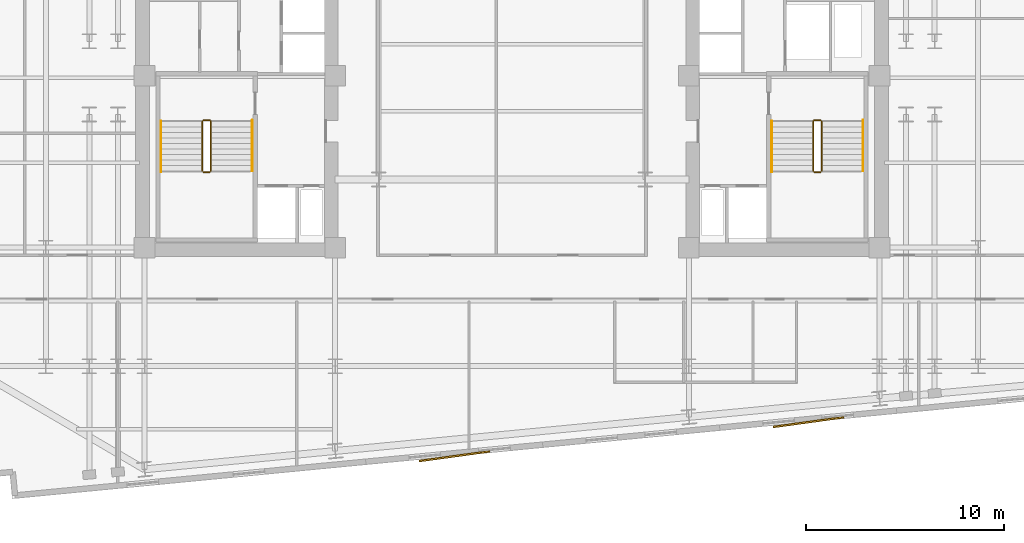
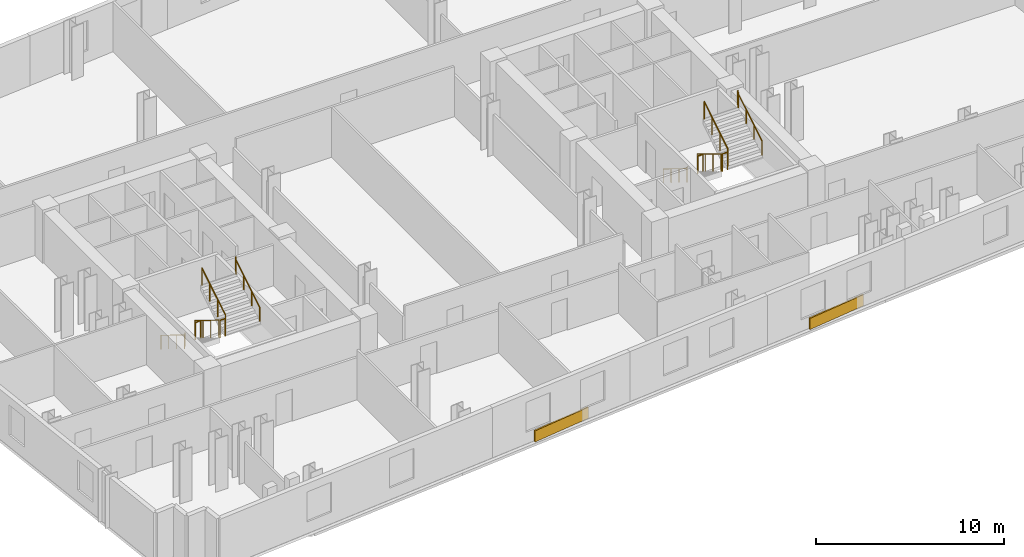
# One storey, part 9 of 10: 12 railings, 2 coverings.
"""IFC4 building model written with IfcOpenShell, lengths in metres."""

import ifcopenshell
import ifcopenshell.guid

model = None  # the IFC model being written
_history = None  # IfcOwnerHistory: only IFC2X3 demands one
_inside = {}  # id of a spatial element -> (the spatial element, [elements in it])
_under = {}  # id of a project, library or spatial element -> (it, [spatial elements below it])
_declared = {}  # id of a project -> (the project, [libraries it declares])
_typed = {}  # id of a type object -> (the type object, [elements of that type])
_made_of = {}  # id of a material, layer set ... -> (it, [elements and type objects made of it])


def new_model(schema):
    """Start an empty IFC model of exactly this schema.

    Asked for "IFC4X3", IfcOpenShell would pick the latest addendum, in which some entities
    have other attributes; the version numbers below select the first issue.
    IFC2X3 requires an IfcOwnerHistory on every rooted entity: one is made here for all.
    """
    global model, _history
    if schema == "IFC4X3":
        model = ifcopenshell.file(schema_version=(4, 3, 0, 0))
    else:
        model = ifcopenshell.file(schema=schema)
    _inside.clear()
    _under.clear()
    _declared.clear()
    _typed.clear()
    _made_of.clear()
    _history = None
    if model.schema == "IFC2X3":
        org = make("IfcOrganization", Name="unknown")
        user = make(
            "IfcPersonAndOrganization",
            ThePerson=make("IfcPerson", FamilyName="unknown"),
            TheOrganization=org,
        )
        app = make(
            "IfcApplication",
            ApplicationDeveloper=org,
            Version="unknown",
            ApplicationFullName="unknown",
            ApplicationIdentifier="unknown",
        )
        _history = make(
            "IfcOwnerHistory",
            OwningUser=user,
            OwningApplication=app,
            ChangeAction="ADDED",
            CreationDate=0,
        )
    return model


def make(cls, **values):
    """One entity of the class cls with the attributes given. An attribute that is None is left unset."""
    return model.create_entity(
        cls, **{name: value for name, value in values.items() if value is not None}
    )


def rooted(cls, **values):
    """An entity with a GlobalId (a new one), such as an element, a storey or a relation."""
    return make(cls, GlobalId=ifcopenshell.guid.new(), OwnerHistory=_history, **values)


def si_unit(unit_type, name, prefix=None):
    """IfcSIUnit, for example si_unit("LENGTHUNIT", "METRE", prefix="MILLI")."""
    return make("IfcSIUnit", UnitType=unit_type, Prefix=prefix, Name=name)


def assignment(units):
    """IfcUnitAssignment: the units of a project."""
    return None if units is None else make("IfcUnitAssignment", Units=units)


def point(xyz):
    """IfcCartesianPoint."""
    return None if xyz is None else make("IfcCartesianPoint", Coordinates=xyz)


def direction(xyz):
    """IfcDirection."""
    return None if xyz is None else make("IfcDirection", DirectionRatios=xyz)


def frame(location, z_axis=None, x_axis=None):
    """IfcAxis2Placement3D, a coordinate frame: its origin and axes. An axis left out is left unset."""
    return make(
        "IfcAxis2Placement3D",
        Location=point(location),
        Axis=direction(z_axis),
        RefDirection=direction(x_axis),
    )


def frame_2d(location, x_axis=None):
    """IfcAxis2Placement2D, a coordinate frame in the plane: its origin and x axis."""
    return make(
        "IfcAxis2Placement2D", Location=point(location), RefDirection=direction(x_axis)
    )


def origin():
    """The frame at (0, 0, 0) with its axes left unset."""
    return frame((0.0, 0.0, 0.0))


def origin_2d():
    """The frame at (0, 0) in the plane with its x axis left unset."""
    return frame_2d((0.0, 0.0))


def place(relative_to, where):
    """IfcLocalPlacement: puts the frame where relative to a parent placement (None: the world)."""
    return make(
        "IfcLocalPlacement", PlacementRelTo=relative_to, RelativePlacement=where
    )


def context(
    kind, dimensions, precision=None, world=None, true_north=None, identifier=None
):
    """IfcGeometricRepresentationContext, for example the 3D "Model" context."""
    return make(
        "IfcGeometricRepresentationContext",
        ContextIdentifier=identifier,
        ContextType=kind,
        CoordinateSpaceDimension=dimensions,
        Precision=precision,
        WorldCoordinateSystem=world,
        TrueNorth=true_north,
    )


def subcontext(parent, identifier, kind, view, scale=None):
    """IfcGeometricRepresentationSubContext, for example "Body" below "Model"."""
    return make(
        "IfcGeometricRepresentationSubContext",
        ContextIdentifier=identifier,
        ContextType=kind,
        ParentContext=parent,
        TargetScale=scale,
        TargetView=view,
    )


def project(units=None, contexts=None):
    """IfcProject with its units and contexts."""
    return rooted(
        "IfcProject",
        Name="project",
        RepresentationContexts=contexts,
        UnitsInContext=assignment(units),
    )


def spatial(cls, under=None, at=None, **own):
    """A site, building, storey or space (cls), placed at a placement, below another one or the project."""
    s = rooted(cls, ObjectPlacement=at, **own)
    if under is not None:
        _under.setdefault(under.id(), (under, []))[1].append(s)
    return s


def profile(cls, at=None, kind="AREA", **sizes):
    """A parametric profile (cls). Its sizes go by their IFC names, for example OverallWidth=200.0."""
    return make(cls, ProfileType=kind, Position=at, **sizes)


def rectangle(**sizes):
    """IfcRectangleProfileDef."""
    return profile("IfcRectangleProfileDef", **sizes)


def circle(**sizes):
    """IfcCircleProfileDef."""
    return profile("IfcCircleProfileDef", **sizes)


def extrude(swept, where, along, depth):
    """IfcExtrudedAreaSolid: the profile swept, set in the frame where, extruded along a direction by depth."""
    return make(
        "IfcExtrudedAreaSolid",
        SweptArea=swept,
        Position=where,
        ExtrudedDirection=direction(along),
        Depth=depth,
    )


def shape(context_of_items, identifier, shape_type, items):
    """IfcShapeRepresentation: the items that make up one representation, for example the "Body"."""
    return make(
        "IfcShapeRepresentation",
        ContextOfItems=context_of_items,
        RepresentationIdentifier=identifier,
        RepresentationType=shape_type,
        Items=items,
    )


def material(Name=None, Category=None):
    """IfcMaterial."""
    return make("IfcMaterial", Name=Name, Category=Category)


def layer(
    of_material, thickness, ventilated=None, Name=None, Category=None, Priority=None
):
    """IfcMaterialLayer: one layer of a wall or slab, of a material (None: an air gap)."""
    return make(
        "IfcMaterialLayer",
        Material=of_material,
        LayerThickness=thickness,
        IsVentilated=ventilated,
        Name=Name,
        Category=Category,
        Priority=Priority,
    )


def layer_set(layers, Name=None):
    """IfcMaterialLayerSet."""
    return make("IfcMaterialLayerSet", MaterialLayers=layers, LayerSetName=Name)


def made_of(thing, what):
    """Note that an element or type object is made of a material, layer set ...; save() writes the relation."""
    if what is not None:
        _made_of.setdefault(what.id(), (what, []))[1].append(thing)
    return thing


def type_object(cls, material=None, **own):
    """A type object (cls), such as IfcWallType, which elements share."""
    return made_of(rooted(cls, **own), material)


def element(
    cls,
    number,
    at=None,
    inside=None,
    cuts=None,
    type_object=None,
    material=None,
    context=None,
    identifier="Body",
    shape_type=None,
    held_by="IfcProductDefinitionShape",
    body=None,
    shapes=None,
    **own,
):
    """One element of the class cls, such as IfcWall. Its Tag is "e" and its number.

    at: its placement. inside: the storey or other place that contains it. cuts: it is an
    opening in that element (IfcRelVoidsElement). A single representation is given by context,
    identifier, shape_type and body (its items); several are given by shapes. held_by: the class
    of the entity that holds the representations. save() writes the other relations.
    """
    e = rooted(cls, Tag="e%d" % number, ObjectPlacement=at, **own)
    if body is not None:
        shapes = [shape(context, identifier, shape_type, body)]
    if shapes is not None:
        e.Representation = make(held_by, Representations=shapes)
    if inside is not None:
        _inside.setdefault(inside.id(), (inside, []))[1].append(e)
    if cuts is not None:
        rooted(
            "IfcRelVoidsElement", RelatingBuildingElement=cuts, RelatedOpeningElement=e
        )
    if type_object is not None:
        _typed.setdefault(type_object.id(), (type_object, []))[1].append(e)
    return made_of(e, material)


def aggregate(whole, parts):
    """IfcRelAggregates: a whole, such as a stair, and the parts it consists of."""
    return rooted("IfcRelAggregates", RelatingObject=whole, RelatedObjects=parts)


def save(model, path):
    """Write the relations noted so far, then the file.

    IfcRelAggregates (storeys below a building ...), IfcRelContainedInSpatialStructure (elements
    in a storey), IfcRelDefinesByType, IfcRelAssociatesMaterial and IfcRelDeclares: one each for
    every whole, place, type object, material and project.
    """
    for whole, parts in _under.values():
        aggregate(whole, parts)
    for where, things in _inside.values():
        rooted(
            "IfcRelContainedInSpatialStructure",
            RelatedElements=things,
            RelatingStructure=where,
        )
    for kind, things in _typed.values():
        rooted("IfcRelDefinesByType", RelatedObjects=things, RelatingType=kind)
    for what, things in _made_of.values():
        rooted("IfcRelAssociatesMaterial", RelatedObjects=things, RelatingMaterial=what)
    for by, libraries in _declared.values():
        rooted("IfcRelDeclares", RelatingContext=by, RelatedDefinitions=libraries)
    model.write(path)


model = new_model("IFC4")

# Units and contexts
model_context = context("Model", 3, precision=1e-05, world=origin(), true_north=direction((0.0, 1.0)))
body_context = subcontext(model_context, "Body", "Model", "MODEL_VIEW")
ifc_project = project(units=[si_unit("LENGTHUNIT", "METRE"), si_unit("AREAUNIT", "SQUARE_METRE"), si_unit("VOLUMEUNIT", "CUBIC_METRE"), si_unit("PLANEANGLEUNIT", "RADIAN"), si_unit("MASSUNIT", "GRAM", prefix="KILO")], contexts=[model_context])

# Site, building, storey
site_placement = place(None, origin())
site = spatial("IfcSite", under=ifc_project, at=site_placement, CompositionType="ELEMENT")
building_placement = place(site_placement, origin())
building = spatial("IfcBuilding", under=site, at=building_placement, Name="Velakula Bourse", CompositionType="ELEMENT")
storey_placement = place(building_placement, frame((0.0, 0.0, 91.449951171875)))
storey = spatial("IfcBuildingStorey", under=building, at=storey_placement, Name="L24", CompositionType="ELEMENT", Elevation=91.449951171875)

# Coverings
ifc_material_1 = material(Name="Buff kilned clay facing brick masonry", Category="masonry")
ifc_layer = layer(ifc_material_1, 0.074951171875, Name="Buff kilned clay facing brick masonry", Category="masonry")
ifc_layer_set = layer_set([ifc_layer], Name="Buff kilned clay facing brick masonry")
covering_type = type_object("IfcCoveringType", Name="COV-BRK-SPN-75", PredefinedType="CLADDING", material=ifc_layer_set)
for number, where, z_axis, x_axis, name in (
    (1, (-2.908447265625, -19.154052734375, 0.0), (0.0, 0.0, 1.0), (0.990629029058, 0.136580111242, 0.0), "L24 Folded Brick Facade Cladding Panel S-B2"),
    (2, (15.0087890625, -17.428955078125, 0.0), (0.0, 0.0, 1.0), (0.990629029058, 0.136580111242, 0.0), "L24 Folded Brick Facade Cladding Panel S-B4"),
):
    element("IfcCovering", number, at=place(storey_placement, frame(where, z_axis=z_axis, x_axis=x_axis)), inside=storey, type_object=covering_type, Name=name, PredefinedType="CLADDING", context=body_context, shape_type="SweptSolid", body=[
        extrude(rectangle(XDim=3.60009765625, YDim=0.090087890625, at=origin_2d()), origin(), (0.0, 0.0, 1.0), 0.719970703125),
    ])

# Railings
ifc_material_2 = material(Name="Brushed grade 316 stainless steel", Category="steel")
railing_type_1 = type_object("IfcRailingType", Name="RLG-STAIR-GUARD-1150", PredefinedType="BALUSTRADE", material=ifc_material_2)
railing_1_placement = place(storey_placement, frame((-15.672119140625, -2.199951171875, 0.172607421875)))
element("IfcRailing", 3, at=railing_1_placement, inside=storey, type_object=railing_type_1, Name="L24 ST-W1 stair guard 1", PredefinedType="BALUSTRADE", context=body_context, shape_type="SweptSolid", body=[
    extrude(circle(Radius=0.02490234375, at=origin_2d()), frame((0.0, 0.0, 1.125), z_axis=(0.0, -0.851400495292, 0.524516154772), x_axis=(1.0, 0.0, 0.0)), (0.0, 0.0, 1.0), 2.9599609375),
    extrude(circle(Radius=0.02099609375, at=origin_2d()), origin(), (0.0, 0.0, 1.0), 1.099853515625),
    extrude(circle(Radius=0.02099609375, at=origin_2d()), frame((0.0, -0.840087890625, 0.517578125)), (0.0, 0.0, 1.0), 1.099853515625),
    extrude(circle(Radius=0.02099609375, at=origin_2d()), frame((0.0, -1.679931640625, 1.034912109375)), (0.0, 0.0, 1.0), 1.099853515625),
    extrude(circle(Radius=0.02099609375, at=origin_2d()), frame((0.0, -2.52001953125, 1.552490234375)), (0.0, 0.0, 1.0), 1.099853515625),
])
railing_2_placement = place(storey_placement, frame((-15.6220703125, -4.77001953125, 1.72509765625)))
element("IfcRailing", 4, at=railing_2_placement, inside=storey, type_object=railing_type_1, Name="L24 ST-W1 stair guard 2", PredefinedType="BALUSTRADE", context=body_context, shape_type="SweptSolid", body=[
    extrude(circle(Radius=0.02490234375, at=origin_2d()), frame((0.0, 0.0, 1.125), z_axis=(1.0, 0.0, 0.0), x_axis=(0.0, 1.0, 0.0)), (0.0, 0.0, 1.0), 0.323974609375),
    extrude(circle(Radius=0.02099609375, at=origin_2d()), origin(), (0.0, 0.0, 1.0), 1.099853515625),
    extrude(circle(Radius=0.02099609375, at=origin_2d()), frame((0.323974609375, 0.0, 0.0)), (0.0, 0.0, 1.0), 1.099853515625),
])
railing_3_placement = place(storey_placement, frame((-15.248046875, -4.719970703125, 1.8974609375)))
element("IfcRailing", 5, at=railing_3_placement, inside=storey, type_object=railing_type_1, Name="L24 ST-W1 stair guard 3", PredefinedType="BALUSTRADE", context=body_context, shape_type="SweptSolid", body=[
    extrude(circle(Radius=0.02490234375, at=origin_2d()), frame((0.0, 0.0, 1.125), z_axis=(0.0, 0.851400495292, 0.524516154772), x_axis=(-1.0, 0.0, 0.0)), (0.0, 0.0, 1.0), 2.9599609375),
    extrude(circle(Radius=0.02099609375, at=origin_2d()), origin(), (0.0, 0.0, 1.0), 1.099853515625),
    extrude(circle(Radius=0.02099609375, at=origin_2d()), frame((0.0, 0.840087890625, 0.517578125)), (0.0, 0.0, 1.0), 1.099853515625),
    extrude(circle(Radius=0.02099609375, at=origin_2d()), frame((0.0, 1.679931640625, 1.034912109375)), (0.0, 0.0, 1.0), 1.099853515625),
    extrude(circle(Radius=0.02099609375, at=origin_2d()), frame((0.0, 2.52001953125, 1.552490234375)), (0.0, 0.0, 1.0), 1.099853515625),
])
railing_4_placement = place(storey_placement, frame((-15.6220703125, -2.14990234375, 0.0)))
element("IfcRailing", 6, at=railing_4_placement, inside=storey, type_object=railing_type_1, Name="L24 ST-W1 stair guard 4", PredefinedType="BALUSTRADE", context=body_context, shape_type="SweptSolid", body=[
    extrude(circle(Radius=0.02490234375, at=origin_2d()), frame((0.0, 0.0, 1.125), z_axis=(1.0, 0.0, 0.0), x_axis=(0.0, 1.0, 0.0)), (0.0, 0.0, 1.0), 0.323974609375),
    extrude(circle(Radius=0.02099609375, at=origin_2d()), origin(), (0.0, 0.0, 1.0), 1.099853515625),
    extrude(circle(Radius=0.02099609375, at=origin_2d()), frame((0.323974609375, 0.0, 0.0)), (0.0, 0.0, 1.0), 1.099853515625),
])
railing_5_placement = place(storey_placement, frame((15.248046875, -2.199951171875, 0.172607421875)))
element("IfcRailing", 7, at=railing_5_placement, inside=storey, type_object=railing_type_1, Name="L24 ST-E1 stair guard 1", PredefinedType="BALUSTRADE", context=body_context, shape_type="SweptSolid", body=[
    extrude(circle(Radius=0.02490234375, at=origin_2d()), frame((0.0, 0.0, 1.125), z_axis=(0.0, -0.851400495292, 0.524516154772), x_axis=(1.0, 0.0, 0.0)), (0.0, 0.0, 1.0), 2.9599609375),
    extrude(circle(Radius=0.02099609375, at=origin_2d()), origin(), (0.0, 0.0, 1.0), 1.099853515625),
    extrude(circle(Radius=0.02099609375, at=origin_2d()), frame((0.0, -0.840087890625, 0.517578125)), (0.0, 0.0, 1.0), 1.099853515625),
    extrude(circle(Radius=0.02099609375, at=origin_2d()), frame((0.0, -1.679931640625, 1.034912109375)), (0.0, 0.0, 1.0), 1.099853515625),
    extrude(circle(Radius=0.02099609375, at=origin_2d()), frame((0.0, -2.52001953125, 1.552490234375)), (0.0, 0.0, 1.0), 1.099853515625),
])
railing_6_placement = place(storey_placement, frame((15.298095703125, -4.77001953125, 1.72509765625)))
element("IfcRailing", 8, at=railing_6_placement, inside=storey, type_object=railing_type_1, Name="L24 ST-E1 stair guard 2", PredefinedType="BALUSTRADE", context=body_context, shape_type="SweptSolid", body=[
    extrude(circle(Radius=0.02490234375, at=origin_2d()), frame((0.0, 0.0, 1.125), z_axis=(1.0, 0.0, 0.0), x_axis=(0.0, 1.0, 0.0)), (0.0, 0.0, 1.0), 0.323974609375),
    extrude(circle(Radius=0.02099609375, at=origin_2d()), origin(), (0.0, 0.0, 1.0), 1.099853515625),
    extrude(circle(Radius=0.02099609375, at=origin_2d()), frame((0.323974609375, 0.0, 0.0)), (0.0, 0.0, 1.0), 1.099853515625),
])
railing_7_placement = place(storey_placement, frame((15.672119140625, -4.719970703125, 1.8974609375)))
element("IfcRailing", 9, at=railing_7_placement, inside=storey, type_object=railing_type_1, Name="L24 ST-E1 stair guard 3", PredefinedType="BALUSTRADE", context=body_context, shape_type="SweptSolid", body=[
    extrude(circle(Radius=0.02490234375, at=origin_2d()), frame((0.0, 0.0, 1.125), z_axis=(0.0, 0.851400495292, 0.524516154772), x_axis=(-1.0, 0.0, 0.0)), (0.0, 0.0, 1.0), 2.9599609375),
    extrude(circle(Radius=0.02099609375, at=origin_2d()), origin(), (0.0, 0.0, 1.0), 1.099853515625),
    extrude(circle(Radius=0.02099609375, at=origin_2d()), frame((0.0, 0.840087890625, 0.517578125)), (0.0, 0.0, 1.0), 1.099853515625),
    extrude(circle(Radius=0.02099609375, at=origin_2d()), frame((0.0, 1.679931640625, 1.034912109375)), (0.0, 0.0, 1.0), 1.099853515625),
    extrude(circle(Radius=0.02099609375, at=origin_2d()), frame((0.0, 2.52001953125, 1.552490234375)), (0.0, 0.0, 1.0), 1.099853515625),
])
railing_8_placement = place(storey_placement, frame((15.298095703125, -2.14990234375, 0.0)))
element("IfcRailing", 10, at=railing_8_placement, inside=storey, type_object=railing_type_1, Name="L24 ST-E1 stair guard 4", PredefinedType="BALUSTRADE", context=body_context, shape_type="SweptSolid", body=[
    extrude(circle(Radius=0.02490234375, at=origin_2d()), frame((0.0, 0.0, 1.125), z_axis=(1.0, 0.0, 0.0), x_axis=(0.0, 1.0, 0.0)), (0.0, 0.0, 1.0), 0.323974609375),
    extrude(circle(Radius=0.02099609375, at=origin_2d()), origin(), (0.0, 0.0, 1.0), 1.099853515625),
    extrude(circle(Radius=0.02099609375, at=origin_2d()), frame((0.323974609375, 0.0, 0.0)), (0.0, 0.0, 1.0), 1.099853515625),
])
railing_type_2 = type_object("IfcRailingType", Name="RLG-STAIR-HAND-920", PredefinedType="HANDRAIL", material=ifc_material_2)
railing_9_placement = place(storey_placement, frame((-17.77001953125, -2.199951171875, 0.172607421875)))
element("IfcRailing", 11, at=railing_9_placement, inside=storey, type_object=railing_type_2, Name="L24 ST-W1 stair handrail 1", PredefinedType="HANDRAIL", context=body_context, shape_type="SweptSolid", body=[
    extrude(circle(Radius=0.02099609375, at=origin_2d()), frame((0.0, 0.0, 0.89892578125), z_axis=(0.0, -0.851400495292, 0.524516154772), x_axis=(1.0, 0.0, 0.0)), (0.0, 0.0, 1.0), 2.9599609375),
    extrude(circle(Radius=0.02099609375, at=origin_2d()), frame((0.0, -2.52001953125, 2.451416015625), z_axis=(0.0, -0.226269970362, 0.974064628509), x_axis=(1.0, 0.0, 0.0)), (0.0, 0.0, 1.0), 0.177001953125),
    extrude(circle(Radius=0.02099609375, at=origin_2d()), frame((0.0, -2.56005859375, 2.623779296875), z_axis=(0.0, -1.0, 0.0), x_axis=(1.0, 0.0, 0.0)), (0.0, 0.0, 1.0), 0.0048828125),
    extrude(circle(Radius=0.02099609375, at=origin_2d()), origin(), (0.0, 0.0, 1.0), 0.8779296875),
    extrude(circle(Radius=0.02099609375, at=origin_2d()), frame((0.0, -0.840087890625, 0.517578125)), (0.0, 0.0, 1.0), 0.8779296875),
    extrude(circle(Radius=0.02099609375, at=origin_2d()), frame((0.0, -1.679931640625, 1.034912109375)), (0.0, 0.0, 1.0), 0.8779296875),
    extrude(circle(Radius=0.02099609375, at=origin_2d()), frame((0.0, -2.52001953125, 1.552490234375)), (0.0, 0.0, 1.0), 0.8779296875),
    extrude(circle(Radius=0.02099609375, at=origin_2d()), frame((0.0, -2.56005859375, 1.724853515625)), (0.0, 0.0, 1.0), 0.8779296875),
    extrude(circle(Radius=0.02099609375, at=origin_2d()), frame((0.0, -2.56494140625, 1.724853515625)), (0.0, 0.0, 1.0), 0.8779296875),
])
railing_10_placement = place(storey_placement, frame((-13.14990234375, -4.719970703125, 1.8974609375)))
element("IfcRailing", 12, at=railing_10_placement, inside=storey, type_object=railing_type_2, Name="L24 ST-W1 stair handrail 2", PredefinedType="HANDRAIL", context=body_context, shape_type="SweptSolid", body=[
    extrude(circle(Radius=0.02099609375, at=origin_2d()), frame((0.0, 0.0, 0.89892578125), z_axis=(0.0, 0.851400495292, 0.524516154772), x_axis=(-1.0, 0.0, 0.0)), (0.0, 0.0, 1.0), 2.9599609375),
    extrude(circle(Radius=0.02099609375, at=origin_2d()), frame((0.0, 2.52001953125, 2.451416015625), z_axis=(0.0, 0.22596628056, 0.974135124123), x_axis=(-1.0, 0.0, 0.0)), (0.0, 0.0, 1.0), 0.17724609375),
    extrude(circle(Radius=0.02099609375, at=origin_2d()), frame((0.0, 2.56005859375, 2.6240234375), z_axis=(0.0, 1.0, 0.0), x_axis=(-1.0, 0.0, 0.0)), (0.0, 0.0, 1.0), 0.0048828125),
    extrude(circle(Radius=0.02099609375, at=origin_2d()), origin(), (0.0, 0.0, 1.0), 0.8779296875),
    extrude(circle(Radius=0.02099609375, at=origin_2d()), frame((0.0, 0.840087890625, 0.517578125)), (0.0, 0.0, 1.0), 0.8779296875),
    extrude(circle(Radius=0.02099609375, at=origin_2d()), frame((0.0, 1.679931640625, 1.034912109375)), (0.0, 0.0, 1.0), 0.8779296875),
    extrude(circle(Radius=0.02099609375, at=origin_2d()), frame((0.0, 2.52001953125, 1.552490234375)), (0.0, 0.0, 1.0), 0.8779296875),
    extrude(circle(Radius=0.02099609375, at=origin_2d()), frame((0.0, 2.56005859375, 1.72509765625)), (0.0, 0.0, 1.0), 0.8779296875),
    extrude(circle(Radius=0.02099609375, at=origin_2d()), frame((0.0, 2.56494140625, 1.72509765625)), (0.0, 0.0, 1.0), 0.8779296875),
])
railing_11_placement = place(storey_placement, frame((13.14990234375, -2.199951171875, 0.172607421875)))
element("IfcRailing", 13, at=railing_11_placement, inside=storey, type_object=railing_type_2, Name="L24 ST-E1 stair handrail 1", PredefinedType="HANDRAIL", context=body_context, shape_type="SweptSolid", body=[
    extrude(circle(Radius=0.02099609375, at=origin_2d()), frame((0.0, 0.0, 0.89892578125), z_axis=(0.0, -0.851400495292, 0.524516154772), x_axis=(1.0, 0.0, 0.0)), (0.0, 0.0, 1.0), 2.9599609375),
    extrude(circle(Radius=0.02099609375, at=origin_2d()), frame((0.0, -2.52001953125, 2.451416015625), z_axis=(0.0, -0.226269970362, 0.974064628509), x_axis=(1.0, 0.0, 0.0)), (0.0, 0.0, 1.0), 0.177001953125),
    extrude(circle(Radius=0.02099609375, at=origin_2d()), frame((0.0, -2.56005859375, 2.623779296875), z_axis=(0.0, -1.0, 0.0), x_axis=(1.0, 0.0, 0.0)), (0.0, 0.0, 1.0), 0.0048828125),
    extrude(circle(Radius=0.02099609375, at=origin_2d()), origin(), (0.0, 0.0, 1.0), 0.8779296875),
    extrude(circle(Radius=0.02099609375, at=origin_2d()), frame((0.0, -0.840087890625, 0.517578125)), (0.0, 0.0, 1.0), 0.8779296875),
    extrude(circle(Radius=0.02099609375, at=origin_2d()), frame((0.0, -1.679931640625, 1.034912109375)), (0.0, 0.0, 1.0), 0.8779296875),
    extrude(circle(Radius=0.02099609375, at=origin_2d()), frame((0.0, -2.52001953125, 1.552490234375)), (0.0, 0.0, 1.0), 0.8779296875),
    extrude(circle(Radius=0.02099609375, at=origin_2d()), frame((0.0, -2.56005859375, 1.724853515625)), (0.0, 0.0, 1.0), 0.8779296875),
    extrude(circle(Radius=0.02099609375, at=origin_2d()), frame((0.0, -2.56494140625, 1.724853515625)), (0.0, 0.0, 1.0), 0.8779296875),
])
railing_12_placement = place(storey_placement, frame((17.77001953125, -4.719970703125, 1.8974609375)))
element("IfcRailing", 14, at=railing_12_placement, inside=storey, type_object=railing_type_2, Name="L24 ST-E1 stair handrail 2", PredefinedType="HANDRAIL", context=body_context, shape_type="SweptSolid", body=[
    extrude(circle(Radius=0.02099609375, at=origin_2d()), frame((0.0, 0.0, 0.89892578125), z_axis=(0.0, 0.851400495292, 0.524516154772), x_axis=(-1.0, 0.0, 0.0)), (0.0, 0.0, 1.0), 2.9599609375),
    extrude(circle(Radius=0.02099609375, at=origin_2d()), frame((0.0, 2.52001953125, 2.451416015625), z_axis=(0.0, 0.22596628056, 0.974135124123), x_axis=(-1.0, 0.0, 0.0)), (0.0, 0.0, 1.0), 0.17724609375),
    extrude(circle(Radius=0.02099609375, at=origin_2d()), frame((0.0, 2.56005859375, 2.6240234375), z_axis=(0.0, 1.0, 0.0), x_axis=(-1.0, 0.0, 0.0)), (0.0, 0.0, 1.0), 0.0048828125),
    extrude(circle(Radius=0.02099609375, at=origin_2d()), origin(), (0.0, 0.0, 1.0), 0.8779296875),
    extrude(circle(Radius=0.02099609375, at=origin_2d()), frame((0.0, 0.840087890625, 0.517578125)), (0.0, 0.0, 1.0), 0.8779296875),
    extrude(circle(Radius=0.02099609375, at=origin_2d()), frame((0.0, 1.679931640625, 1.034912109375)), (0.0, 0.0, 1.0), 0.8779296875),
    extrude(circle(Radius=0.02099609375, at=origin_2d()), frame((0.0, 2.52001953125, 1.552490234375)), (0.0, 0.0, 1.0), 0.8779296875),
    extrude(circle(Radius=0.02099609375, at=origin_2d()), frame((0.0, 2.56005859375, 1.72509765625)), (0.0, 0.0, 1.0), 0.8779296875),
    extrude(circle(Radius=0.02099609375, at=origin_2d()), frame((0.0, 2.56494140625, 1.72509765625)), (0.0, 0.0, 1.0), 0.8779296875),
])

save(model, "model.ifc")
